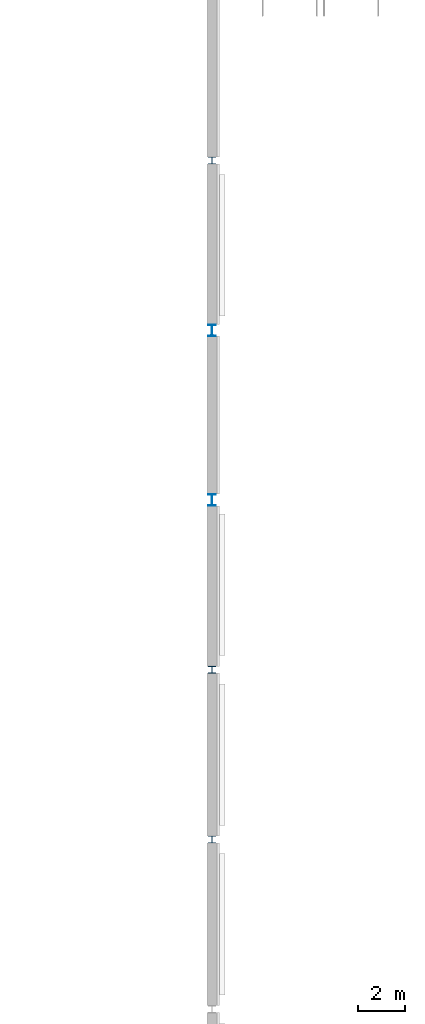
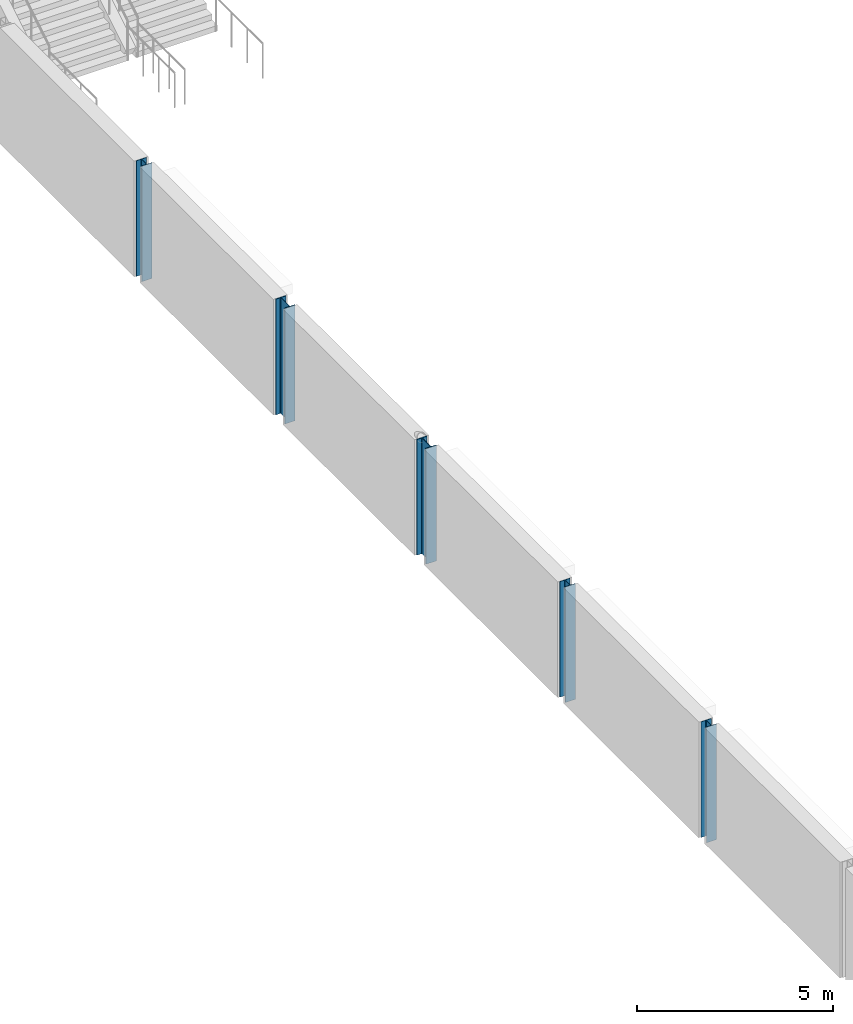
# One storey, part 20 of 90: 5 columns.
"""IFC4 building model written with IfcOpenShell, lengths in metres."""

from ifc_helpers import new_model, si_unit, direction, frame, origin, origin_2d, place, context, subcontext, project, spatial, i_section, extrude, material, material_profile, profile_set, type_object, element, save


model = new_model("IFC4")

# Units and contexts
model_context = context("Model", 3, precision=1e-05, world=origin(), true_north=direction((0.0, 1.0)))
body_context = subcontext(model_context, "Body", "Model", "MODEL_VIEW")
ifc_project = project(units=[si_unit("LENGTHUNIT", "METRE"), si_unit("AREAUNIT", "SQUARE_METRE"), si_unit("VOLUMEUNIT", "CUBIC_METRE"), si_unit("PLANEANGLEUNIT", "RADIAN"), si_unit("MASSUNIT", "GRAM", prefix="KILO")], contexts=[model_context])

# Site, building, storey
site_placement = place(None, origin())
site = spatial("IfcSite", under=ifc_project, at=site_placement, CompositionType="ELEMENT")
building_placement = place(site_placement, origin())
building = spatial("IfcBuilding", under=site, at=building_placement, Name="Kupolbacken Congress Centre", CompositionType="ELEMENT")
storey_placement = place(building_placement, frame((0.0, 0.0, 3.60009765625)))
storey = spatial("IfcBuildingStorey", under=building, at=storey_placement, Name="L01", CompositionType="ELEMENT", Elevation=3.60009765625)

# Columns
ifc_material_1 = material(Name="Steel S355", Category="steel")
ifc_material_profile_1 = material_profile(ifc_material_1, i_section(OverallWidth=0.300048828125, OverallDepth=0.2900390625, WebThickness=0.008544921875, FlangeThickness=0.013916015625, FilletRadius=0.027099609375, at=origin_2d()), Name="HEA 300")
ifc_profile_set_1 = profile_set([ifc_material_profile_1], Name="Steel S355")
column_type_1 = type_object("IfcColumnType", Name="C09 column HEA 300", PredefinedType="COLUMN", material=ifc_profile_set_1)
for number, where, z_axis, x_axis, name in (
    (1, (201.60009765625, 79.199951171875, 0.0), (0.0, 0.0, 1.0), (1.0, 0.0, 0.0), "S/col/C-H-PE06/L01"),
    (2, (201.60009765625, 86.39990234375, 0.0), (0.0, 0.0, 1.0), (1.0, 0.0, 0.0), "S/col/C-H-PE07/L01"),
    (3, (201.60009765625, 108.0, 0.0), (0.0, 0.0, 1.0), (1.0, 0.0, 0.0), "S/col/C-H-PE10/L01"),
):
    element("IfcColumn", number, at=place(storey_placement, frame(where, z_axis=z_axis, x_axis=x_axis)), inside=storey, type_object=column_type_1, Name=name, PredefinedType="COLUMN", context=body_context, shape_type="SweptSolid", body=[
        extrude(i_section(OverallWidth=0.300048828125, OverallDepth=0.2900390625, WebThickness=0.008544921875, FlangeThickness=0.013916015625, FilletRadius=0.027099609375, at=origin_2d()), origin(), (0.0, 0.0, 1.0), 3.599853515625),
    ])
ifc_material_2 = material(Name="Steel S355", Category="steel")
ifc_material_profile_2 = material_profile(ifc_material_2, i_section(OverallWidth=0.300048828125, OverallDepth=0.489990234375, WebThickness=0.011962890625, FlangeThickness=0.02294921875, FilletRadius=0.027099609375, at=origin_2d()), Name="HEA 500")
ifc_profile_set_2 = profile_set([ifc_material_profile_2], Name="Steel S355")
column_type_2 = type_object("IfcColumnType", Name="C14 column HEA 500", PredefinedType="COLUMN", material=ifc_profile_set_2)
for number, where, z_axis, x_axis, name in (
    (4, (201.60009765625, 93.60009765625, 0.0), (0.0, 0.0, 1.0), (1.0, 0.0, 0.0), "S/col/C-H-PE08/L01"),
    (5, (201.60009765625, 100.800048828125, 0.0), (0.0, 0.0, 1.0), (1.0, 0.0, 0.0), "S/col/C-H-PE09/L01"),
):
    element("IfcColumn", number, at=place(storey_placement, frame(where, z_axis=z_axis, x_axis=x_axis)), inside=storey, type_object=column_type_2, Name=name, PredefinedType="COLUMN", context=body_context, shape_type="SweptSolid", body=[
        extrude(i_section(OverallWidth=0.300048828125, OverallDepth=0.489990234375, WebThickness=0.011962890625, FlangeThickness=0.02294921875, FilletRadius=0.027099609375, at=origin_2d()), origin(), (0.0, 0.0, 1.0), 3.599853515625),
    ])

save(model, "model.ifc")
